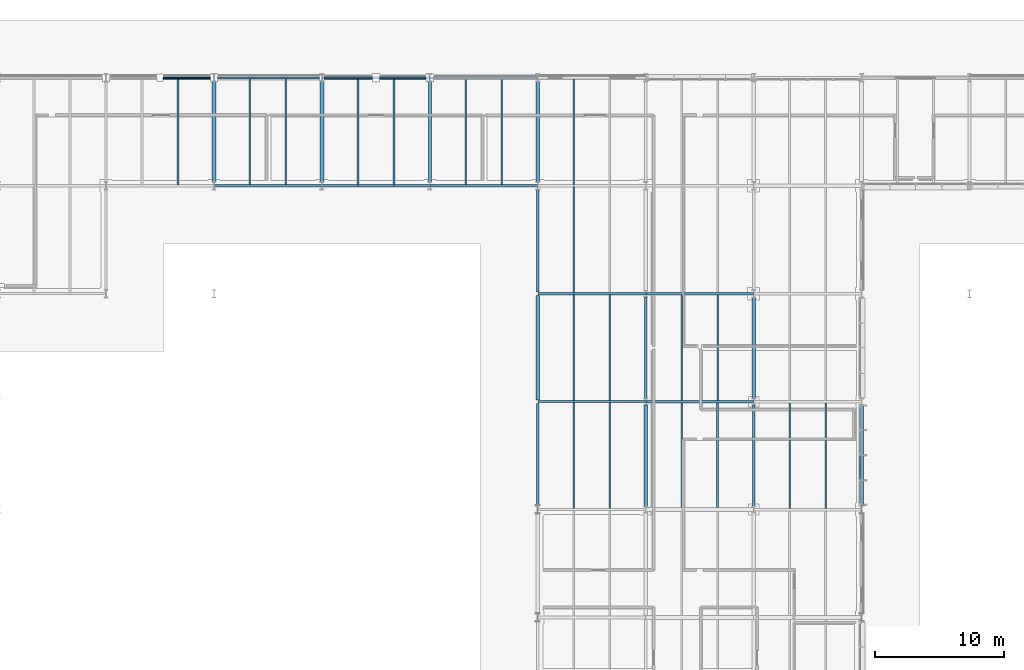
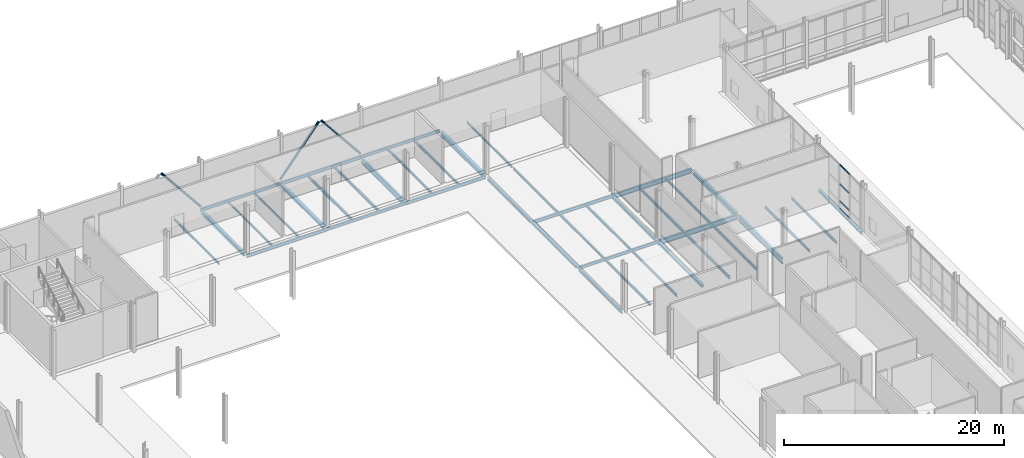
# One storey, part 41 of 124: 41 beams, 7 members, 1 element without a shape of its own.
"""IFC4 building model written with IfcOpenShell, lengths in metres."""

from ifc_helpers import new_model, si_unit, direction, frame, origin, origin_2d, place, context, subcontext, project, spatial, hollow_rectangle, hollow_circle, i_section, extrude, material, material_profile, profile_set, type_object, element, aggregate, save


model = new_model("IFC4")

# Units and contexts
model_context = context("Model", 3, precision=1e-05, world=origin(), true_north=direction((0.0, 1.0)))
body_context = subcontext(model_context, "Body", "Model", "MODEL_VIEW")
ifc_project = project(units=[si_unit("LENGTHUNIT", "METRE"), si_unit("AREAUNIT", "SQUARE_METRE"), si_unit("VOLUMEUNIT", "CUBIC_METRE"), si_unit("PLANEANGLEUNIT", "RADIAN"), si_unit("MASSUNIT", "GRAM", prefix="KILO")], contexts=[model_context])

# Site, building, storey
site_placement = place(None, origin())
site = spatial("IfcSite", under=ifc_project, at=site_placement, CompositionType="ELEMENT")
building_placement = place(site_placement, origin())
building = spatial("IfcBuilding", under=site, at=building_placement, Name="Mersafa Astral City Hall", CompositionType="ELEMENT")
storey_placement = place(building_placement, origin())
storey = spatial("IfcBuildingStorey", under=building, at=storey_placement, Name="L00", CompositionType="ELEMENT", Elevation=0.0)

# Curtain wall, members
ifc_material_1 = material(Name="Anodised bronze aluminium framing", Category="aluminium")
curtain_wall_type = type_object("IfcCurtainWallType", Name="ENV-CW-1", PredefinedType="USERDEFINED", material=ifc_material_1)
curtain_wall_placement = place(storey_placement, origin())
curtain_wall = element("IfcCurtainWall", 1, at=curtain_wall_placement, inside=storey, type_object=curtain_wall_type, Name="L00 Unitised solar curtain wall 12", ObjectType="UNITISED CURTAIN WALL", PredefinedType="USERDEFINED")
ifc_material_profile_1 = material_profile(ifc_material_1, hollow_rectangle(XDim=0.06005859375, YDim=0.159912109375, WallThickness=0.00390625, at=origin_2d()), Name="RHS 60x160x4")
ifc_profile_set_1 = profile_set([ifc_material_profile_1], Name="Anodised bronze aluminium framing")
member_type_1 = type_object("IfcMemberType", Name="ENV-CW-TRN-2", PredefinedType="USERDEFINED", material=ifc_profile_set_1)
member_1_placement = place(storey_placement, frame((117.47998046875, 94.747314453125, 0.028076171875), z_axis=(0.0, 1.0, 0.0), x_axis=(-1.0, 0.0, 0.0)))
member_1 = element("IfcMember", 2, at=member_1_placement, type_object=member_type_1, Name="CW-1 transom 2.1", ObjectType="TRANSOM", PredefinedType="USERDEFINED", context=body_context, shape_type="SweptSolid", body=[
    extrude(hollow_rectangle(XDim=0.06005859375, YDim=0.159912109375, WallThickness=0.00390625, at=origin_2d()), origin(), (0.0, 0.0, 1.0), 1.830078125),
])
member_2_placement = place(storey_placement, frame((117.47998046875, 94.747314453125, 0.85009765625), z_axis=(0.0, 1.0, 0.0), x_axis=(-1.0, 0.0, 0.0)))
member_2 = element("IfcMember", 3, at=member_2_placement, type_object=member_type_1, Name="CW-1 transom 2.2", ObjectType="TRANSOM", PredefinedType="USERDEFINED", context=body_context, shape_type="SweptSolid", body=[
    extrude(hollow_rectangle(XDim=0.06005859375, YDim=0.159912109375, WallThickness=0.00390625, at=origin_2d()), origin(), (0.0, 0.0, 1.0), 1.830078125),
])
member_3_placement = place(storey_placement, frame((117.47998046875, 94.747314453125, 2.75), z_axis=(0.0, 1.0, 0.0), x_axis=(-1.0, 0.0, 0.0)))
member_3 = element("IfcMember", 4, at=member_3_placement, type_object=member_type_1, Name="CW-1 transom 2.3", ObjectType="TRANSOM", PredefinedType="USERDEFINED", context=body_context, shape_type="SweptSolid", body=[
    extrude(hollow_rectangle(XDim=0.06005859375, YDim=0.159912109375, WallThickness=0.00390625, at=origin_2d()), origin(), (0.0, 0.0, 1.0), 1.830078125),
])
member_4_placement = place(storey_placement, frame((117.47998046875, 94.747314453125, 4.8720703125), z_axis=(0.0, 1.0, 0.0), x_axis=(-1.0, 0.0, 0.0)))
member_4 = element("IfcMember", 5, at=member_4_placement, type_object=member_type_1, Name="CW-1 transom 2.4", ObjectType="TRANSOM", PredefinedType="USERDEFINED", context=body_context, shape_type="SweptSolid", body=[
    extrude(hollow_rectangle(XDim=0.06005859375, YDim=0.159912109375, WallThickness=0.00390625, at=origin_2d()), origin(), (0.0, 0.0, 1.0), 1.830078125),
])
aggregate(curtain_wall, [member_1, member_2, member_3, member_4])

# Beams
ifc_material_2 = material(Name="Steel S355", Category="steel")
ifc_material_profile_2 = material_profile(ifc_material_2, i_section(OverallWidth=0.300048828125, OverallDepth=0.31005859375, WebThickness=0.009033203125, FlangeThickness=0.015380859375, FilletRadius=0.027099609375, at=origin_2d()), Name="HEA 320")
ifc_profile_set_2 = profile_set([ifc_material_profile_2], Name="Steel S355")
beam_type_1 = type_object("IfcBeamType", Name="STR-BM-HEA320", PredefinedType="BEAM", material=ifc_profile_set_2)
beam_1_placement = place(storey_placement, frame((75.60009765625, 117.89501953125, -0.405029296875), z_axis=(0.0, 1.0, 0.0), x_axis=(-1.0, 0.0, 0.0)))
element("IfcBeam", 6, at=beam_1_placement, inside=storey, type_object=beam_type_1, Name="L00 Primary girder Y 9-14", PredefinedType="BEAM", context=body_context, shape_type="SweptSolid", body=[
    extrude(i_section(OverallWidth=0.300048828125, OverallDepth=0.31005859375, WebThickness=0.009033203125, FlangeThickness=0.015380859375, FilletRadius=0.027099609375, at=origin_2d()), origin(), (0.0, 0.0, 1.0), 7.81005859375),
])
ifc_material_profile_3 = material_profile(ifc_material_2, i_section(OverallWidth=0.300048828125, OverallDepth=0.35009765625, WebThickness=0.010009765625, FlangeThickness=0.017578125, FilletRadius=0.027099609375, at=origin_2d()), Name="HEA 360")
ifc_profile_set_3 = profile_set([ifc_material_profile_3], Name="Steel S355")
beam_type_2 = type_object("IfcBeamType", Name="STR-BM-HEA360", PredefinedType="BEAM", material=ifc_profile_set_3)
beam_2_placement = place(storey_placement, frame((67.199951171875, 117.89501953125, -0.425048828125), z_axis=(0.0, 1.0, 0.0), x_axis=(-1.0, 0.0, 0.0)))
element("IfcBeam", 7, at=beam_2_placement, inside=storey, type_object=beam_type_2, Name="L00 Primary girder Y 8-14", PredefinedType="BEAM", context=body_context, shape_type="SweptSolid", body=[
    extrude(i_section(OverallWidth=0.300048828125, OverallDepth=0.35009765625, WebThickness=0.010009765625, FlangeThickness=0.017578125, FilletRadius=0.027099609375, at=origin_2d()), origin(), (0.0, 0.0, 1.0), 7.81005859375),
])
ifc_material_profile_4 = material_profile(ifc_material_2, i_section(OverallWidth=0.300048828125, OverallDepth=0.489990234375, WebThickness=0.011962890625, FlangeThickness=0.02294921875, FilletRadius=0.027099609375, at=origin_2d()), Name="HEA 500")
ifc_profile_set_4 = profile_set([ifc_material_profile_4], Name="Steel S355")
beam_type_3 = type_object("IfcBeamType", Name="STR-BM-HEA500", PredefinedType="BEAM", material=ifc_profile_set_4)
beam_3_placement = place(storey_placement, frame((92.39990234375, 117.89501953125, -0.4951171875), z_axis=(0.0, 1.0, 0.0), x_axis=(-1.0, 0.0, 0.0)))
element("IfcBeam", 8, at=beam_3_placement, inside=storey, type_object=beam_type_3, Name="L00 Primary girder Y 11-14", PredefinedType="BEAM", context=body_context, shape_type="SweptSolid", body=[
    extrude(i_section(OverallWidth=0.300048828125, OverallDepth=0.489990234375, WebThickness=0.011962890625, FlangeThickness=0.02294921875, FilletRadius=0.027099609375, at=origin_2d()), origin(), (0.0, 0.0, 1.0), 7.81005859375),
])
beam_4_placement = place(storey_placement, frame((109.199951171875, 101.044921875, -0.4951171875), z_axis=(0.0, 1.0, 0.0), x_axis=(-1.0, 0.0, 0.0)))
element("IfcBeam", 9, at=beam_4_placement, inside=storey, type_object=beam_type_3, Name="L00 Primary girder Y 13-12", PredefinedType="BEAM", context=body_context, shape_type="SweptSolid", body=[
    extrude(i_section(OverallWidth=0.300048828125, OverallDepth=0.489990234375, WebThickness=0.011962890625, FlangeThickness=0.02294921875, FilletRadius=0.027099609375, at=origin_2d()), origin(), (0.0, 0.0, 1.0), 7.860107421875),
])
ifc_material_profile_5 = material_profile(ifc_material_2, i_section(OverallWidth=0.199951171875, OverallDepth=0.5, WebThickness=0.01025390625, FlangeThickness=0.01611328125, FilletRadius=0.02099609375, at=origin_2d()), Name="IPE 500")
ifc_profile_set_5 = profile_set([ifc_material_profile_5], Name="Steel S355")
beam_type_4 = type_object("IfcBeamType", Name="STR-BM-IPE500", PredefinedType="BEAM", material=ifc_profile_set_5)
beam_5_placement = place(storey_placement, frame((100.802978515625, 109.199951171875, -0.5), z_axis=(1.0, 0.0, 0.0), x_axis=(0.0, 1.0, 0.0)))
element("IfcBeam", 10, at=beam_5_placement, inside=storey, type_object=beam_type_4, Name="L00 Primary girder X 12-13", PredefinedType="BEAM", context=body_context, shape_type="SweptSolid", body=[
    extrude(i_section(OverallWidth=0.199951171875, OverallDepth=0.5, WebThickness=0.01025390625, FlangeThickness=0.01611328125, FilletRadius=0.02099609375, at=origin_2d()), origin(), (0.0, 0.0, 1.0), 8.39404296875),
])
ifc_material_profile_6 = material_profile(ifc_material_2, i_section(OverallWidth=0.2099609375, OverallDepth=0.550048828125, WebThickness=0.010986328125, FlangeThickness=0.01708984375, FilletRadius=0.02392578125, at=origin_2d()), Name="IPE 550")
ifc_profile_set_6 = profile_set([ifc_material_profile_6], Name="Steel S355")
beam_type_5 = type_object("IfcBeamType", Name="STR-BM-IPE550", PredefinedType="BEAM", material=ifc_profile_set_6)
beam_6_placement = place(storey_placement, frame((100.802978515625, 100.800048828125, -0.52490234375), z_axis=(1.0, 0.0, 0.0), x_axis=(0.0, 1.0, 0.0)))
element("IfcBeam", 11, at=beam_6_placement, inside=storey, type_object=beam_type_5, Name="L00 Primary girder X 12-12", PredefinedType="BEAM", context=body_context, shape_type="SweptSolid", body=[
    extrude(i_section(OverallWidth=0.2099609375, OverallDepth=0.550048828125, WebThickness=0.010986328125, FlangeThickness=0.01708984375, FilletRadius=0.02392578125, at=origin_2d()), origin(), (0.0, 0.0, 1.0), 8.39404296875),
])
ifc_material_profile_7 = material_profile(ifc_material_2, i_section(OverallWidth=0.219970703125, OverallDepth=0.60009765625, WebThickness=0.011962890625, FlangeThickness=0.01904296875, FilletRadius=0.02392578125, at=origin_2d()), Name="IPE 600")
ifc_profile_set_7 = profile_set([ifc_material_profile_7], Name="Steel S355")
beam_type_6 = type_object("IfcBeamType", Name="STR-BM-IPE600", PredefinedType="BEAM", material=ifc_profile_set_7)
beam_7_placement = place(storey_placement, frame((84.0, 117.89501953125, -0.550048828125), z_axis=(0.0, 1.0, 0.0), x_axis=(-1.0, 0.0, 0.0)))
element("IfcBeam", 12, at=beam_7_placement, inside=storey, type_object=beam_type_6, Name="L00 Primary girder Y 10-14", PredefinedType="BEAM", context=body_context, shape_type="SweptSolid", body=[
    extrude(i_section(OverallWidth=0.219970703125, OverallDepth=0.60009765625, WebThickness=0.011962890625, FlangeThickness=0.01904296875, FilletRadius=0.02392578125, at=origin_2d()), origin(), (0.0, 0.0, 1.0), 7.81005859375),
])
beam_8_placement = place(storey_placement, frame((109.199951171875, 92.64501953125, -0.550048828125), z_axis=(0.0, 1.0, 0.0), x_axis=(-1.0, 0.0, 0.0)))
element("IfcBeam", 13, at=beam_8_placement, inside=storey, type_object=beam_type_6, Name="L00 Primary girder Y 13-11", PredefinedType="BEAM", context=body_context, shape_type="SweptSolid", body=[
    extrude(i_section(OverallWidth=0.219970703125, OverallDepth=0.60009765625, WebThickness=0.011962890625, FlangeThickness=0.01904296875, FilletRadius=0.02392578125, at=origin_2d()), origin(), (0.0, 0.0, 1.0), 7.909912109375),
])
ifc_material_profile_8 = material_profile(ifc_material_2, i_section(OverallWidth=0.110107421875, OverallDepth=0.219970703125, WebThickness=0.005859375, FlangeThickness=0.00927734375, FilletRadius=0.011962890625, at=origin_2d()), Name="IPE 220")
ifc_profile_set_8 = profile_set([ifc_material_profile_8], Name="Steel S355")
beam_type_7 = type_object("IfcBeamType", Name="STR-BM-JOIST-IPE220", PredefinedType="JOIST", material=ifc_profile_set_8)
for number, where, z_axis, x_axis, name in (
    (14, (70.0, 117.679931640625, -0.360107421875), (0.0, 1.0, 0.0), (-1.0, 0.0, 0.0), "L00 Composite secondary floor joist 44"),
    (15, (72.800048828125, 117.679931640625, -0.360107421875), (0.0, 1.0, 0.0), (-1.0, 0.0, 0.0), "L00 Composite secondary floor joist 45"),
):
    element("IfcBeam", number, at=place(storey_placement, frame(where, z_axis=z_axis, x_axis=x_axis)), inside=storey, type_object=beam_type_7, Name=name, PredefinedType="JOIST", context=body_context, shape_type="SweptSolid", body=[
        extrude(i_section(OverallWidth=0.110107421875, OverallDepth=0.219970703125, WebThickness=0.005859375, FlangeThickness=0.00927734375, FilletRadius=0.011962890625, at=origin_2d()), origin(), (0.0, 0.0, 1.0), 8.2451171875),
    ])
ifc_material_profile_9 = material_profile(ifc_material_2, i_section(OverallWidth=0.1201171875, OverallDepth=0.239990234375, WebThickness=0.006103515625, FlangeThickness=0.009765625, FilletRadius=0.014892578125, at=origin_2d()), Name="IPE 240")
ifc_profile_set_9 = profile_set([ifc_material_profile_9], Name="Steel S355")
beam_type_8 = type_object("IfcBeamType", Name="STR-BM-JOIST-IPE240", PredefinedType="JOIST", material=ifc_profile_set_9)
for number, where, z_axis, x_axis, name in (
    (16, (64.39990234375, 117.675048828125, -0.3701171875), (0.0, 1.0, 0.0), (-1.0, 0.0, 0.0), "L00 Composite secondary floor joist 41"),
    (17, (95.199951171875, 117.675048828125, -0.3701171875), (0.0, 1.0, 0.0), (-1.0, 0.0, 0.0), "L00 Composite secondary floor joist 76"),
):
    element("IfcBeam", number, at=place(storey_placement, frame(where, z_axis=z_axis, x_axis=x_axis)), inside=storey, type_object=beam_type_8, Name=name, PredefinedType="JOIST", context=body_context, shape_type="SweptSolid", body=[
        extrude(i_section(OverallWidth=0.1201171875, OverallDepth=0.239990234375, WebThickness=0.006103515625, FlangeThickness=0.009765625, FilletRadius=0.014892578125, at=origin_2d()), origin(), (0.0, 0.0, 1.0), 8.244873046875),
    ])
ifc_material_profile_10 = material_profile(ifc_material_2, i_section(OverallWidth=0.135009765625, OverallDepth=0.27001953125, WebThickness=0.006591796875, FlangeThickness=0.01025390625, FilletRadius=0.014892578125, at=origin_2d()), Name="IPE 270")
ifc_profile_set_10 = profile_set([ifc_material_profile_10], Name="Steel S355")
beam_type_9 = type_object("IfcBeamType", Name="STR-BM-JOIST-IPE270", PredefinedType="JOIST", material=ifc_profile_set_10)
for number, where, z_axis, x_axis, name in (
    (18, (86.800048828125, 117.679931640625, -0.385009765625), (0.0, 1.0, 0.0), (-1.0, 0.0, 0.0), "L00 Composite secondary floor joist 56"),
    (19, (89.60009765625, 117.679931640625, -0.385009765625), (0.0, 1.0, 0.0), (-1.0, 0.0, 0.0), "L00 Composite secondary floor joist 57"),
):
    element("IfcBeam", number, at=place(storey_placement, frame(where, z_axis=z_axis, x_axis=x_axis)), inside=storey, type_object=beam_type_9, Name=name, PredefinedType="JOIST", context=body_context, shape_type="SweptSolid", body=[
        extrude(i_section(OverallWidth=0.135009765625, OverallDepth=0.27001953125, WebThickness=0.006591796875, FlangeThickness=0.01025390625, FilletRadius=0.014892578125, at=origin_2d()), origin(), (0.0, 0.0, 1.0), 8.2451171875),
    ])
for number, where, z_axis, x_axis, name in (
    (20, (103.60009765625, 100.89990234375, -0.385009765625), (0.0, 1.0, 0.0), (-1.0, 0.0, 0.0), "L00 Composite secondary floor joist 102"),
    (21, (106.39990234375, 100.89990234375, -0.385009765625), (0.0, 1.0, 0.0), (-1.0, 0.0, 0.0), "L00 Composite secondary floor joist 103"),
    (22, (112.0, 92.5, -0.385009765625), (0.0, 1.0, 0.0), (-1.0, 0.0, 0.0), "L00 Composite secondary floor joist 130"),
    (23, (114.800048828125, 92.5, -0.385009765625), (0.0, 1.0, 0.0), (-1.0, 0.0, 0.0), "L00 Composite secondary floor joist 131"),
):
    element("IfcBeam", number, at=place(storey_placement, frame(where, z_axis=z_axis, x_axis=x_axis)), inside=storey, type_object=beam_type_9, Name=name, PredefinedType="JOIST", context=body_context, shape_type="SweptSolid", body=[
        extrude(i_section(OverallWidth=0.135009765625, OverallDepth=0.27001953125, WebThickness=0.006591796875, FlangeThickness=0.01025390625, FilletRadius=0.014892578125, at=origin_2d()), origin(), (0.0, 0.0, 1.0), 8.205078125),
    ])
for number, where, z_axis, x_axis, name in (
    (24, (95.199951171875, 92.47998046875, -0.385009765625), (0.0, 1.0, 0.0), (-1.0, 0.0, 0.0), "L00 Flat roof secondary joist 13"),
    (25, (98.0, 92.47998046875, -0.385009765625), (0.0, 1.0, 0.0), (-1.0, 0.0, 0.0), "L00 Flat roof secondary joist 14"),
    (26, (95.199951171875, 100.875, -0.385009765625), (0.0, 1.0, 0.0), (-1.0, 0.0, 0.0), "L00 Flat roof secondary joist 15"),
    (27, (98.0, 100.875, -0.385009765625), (0.0, 1.0, 0.0), (-1.0, 0.0, 0.0), "L00 Flat roof secondary joist 16"),
):
    element("IfcBeam", number, at=place(storey_placement, frame(where, z_axis=z_axis, x_axis=x_axis)), inside=storey, type_object=beam_type_9, Name=name, PredefinedType="JOIST", context=body_context, shape_type="SweptSolid", body=[
        extrude(i_section(OverallWidth=0.135009765625, OverallDepth=0.27001953125, WebThickness=0.006591796875, FlangeThickness=0.01025390625, FilletRadius=0.014892578125, at=origin_2d()), origin(), (0.0, 0.0, 1.0), 8.2451171875),
    ])
beam_9_placement = place(storey_placement, frame((95.199951171875, 109.280029296875, -0.385009765625), z_axis=(0.0, 1.0, 0.0), x_axis=(-1.0, 0.0, 0.0)))
element("IfcBeam", 28, at=beam_9_placement, inside=storey, type_object=beam_type_9, Name="L00 Flat roof secondary joist 17", PredefinedType="JOIST", context=body_context, shape_type="SweptSolid", body=[
    extrude(i_section(OverallWidth=0.135009765625, OverallDepth=0.27001953125, WebThickness=0.006591796875, FlangeThickness=0.01025390625, FilletRadius=0.014892578125, at=origin_2d()), origin(), (0.0, 0.0, 1.0), 8.244873046875),
])
ifc_material_profile_11 = material_profile(ifc_material_2, i_section(OverallWidth=0.14990234375, OverallDepth=0.300048828125, WebThickness=0.007080078125, FlangeThickness=0.0107421875, FilletRadius=0.014892578125, at=origin_2d()), Name="IPE 300")
ifc_profile_set_11 = profile_set([ifc_material_profile_11], Name="Steel S355")
beam_type_10 = type_object("IfcBeamType", Name="STR-BM-JOIST-IPE300", PredefinedType="JOIST", material=ifc_profile_set_11)
for number, where, z_axis, x_axis, name in (
    (29, (78.39990234375, 117.675048828125, -0.39990234375), (0.0, 1.0, 0.0), (-1.0, 0.0, 0.0), "L00 Composite secondary floor joist 50"),
    (30, (81.199951171875, 117.675048828125, -0.39990234375), (0.0, 1.0, 0.0), (-1.0, 0.0, 0.0), "L00 Composite secondary floor joist 51"),
):
    element("IfcBeam", number, at=place(storey_placement, frame(where, z_axis=z_axis, x_axis=x_axis)), inside=storey, type_object=beam_type_10, Name=name, PredefinedType="JOIST", context=body_context, shape_type="SweptSolid", body=[
        extrude(i_section(OverallWidth=0.14990234375, OverallDepth=0.300048828125, WebThickness=0.007080078125, FlangeThickness=0.0107421875, FilletRadius=0.014892578125, at=origin_2d()), origin(), (0.0, 0.0, 1.0), 8.244873046875),
    ])
for number, where, z_axis, x_axis, name in (
    (31, (103.60009765625, 92.544921875, -0.39990234375), (0.0, 1.0, 0.0), (-1.0, 0.0, 0.0), "L00 Composite secondary floor joist 100"),
    (32, (106.39990234375, 92.544921875, -0.39990234375), (0.0, 1.0, 0.0), (-1.0, 0.0, 0.0), "L00 Composite secondary floor joist 101"),
):
    element("IfcBeam", number, at=place(storey_placement, frame(where, z_axis=z_axis, x_axis=x_axis)), inside=storey, type_object=beam_type_10, Name=name, PredefinedType="JOIST", context=body_context, shape_type="SweptSolid", body=[
        extrude(i_section(OverallWidth=0.14990234375, OverallDepth=0.300048828125, WebThickness=0.007080078125, FlangeThickness=0.0107421875, FilletRadius=0.014892578125, at=origin_2d()), origin(), (0.0, 0.0, 1.0), 8.155029296875),
    ])
ifc_material_profile_12 = material_profile(ifc_material_2, i_section(OverallWidth=0.280029296875, OverallDepth=0.27001953125, WebThickness=0.008056640625, FlangeThickness=0.012939453125, FilletRadius=0.02392578125, at=origin_2d()), Name="HEA 280")
ifc_profile_set_12 = profile_set([ifc_material_profile_12], Name="Steel S355")
beam_type_11 = type_object("IfcBeamType", Name="STR-BM-SPANDREL-HEA280", PredefinedType="SPANDREL", material=ifc_profile_set_12)
beam_10_placement = place(storey_placement, frame((92.39990234375, 100.945068359375, -0.385009765625), z_axis=(0.0, 1.0, 0.0), x_axis=(-1.0, 0.0, 0.0)))
element("IfcBeam", 33, at=beam_10_placement, inside=storey, type_object=beam_type_11, Name="L00 Primary girder Y 11-12", PredefinedType="SPANDREL", context=body_context, shape_type="SweptSolid", body=[
    extrude(i_section(OverallWidth=0.280029296875, OverallDepth=0.27001953125, WebThickness=0.008056640625, FlangeThickness=0.012939453125, FilletRadius=0.02392578125, at=origin_2d()), origin(), (0.0, 0.0, 1.0), 8.10986328125),
])
beam_11_placement = place(storey_placement, frame((100.800048828125, 92.64501953125, -0.385009765625), z_axis=(0.0, 1.0, 0.0), x_axis=(-1.0, 0.0, 0.0)))
element("IfcBeam", 34, at=beam_11_placement, inside=storey, type_object=beam_type_11, Name="L00 Primary girder Y 12-11", PredefinedType="SPANDREL", context=body_context, shape_type="SweptSolid", body=[
    extrude(i_section(OverallWidth=0.280029296875, OverallDepth=0.27001953125, WebThickness=0.008056640625, FlangeThickness=0.012939453125, FilletRadius=0.02392578125, at=origin_2d()), origin(), (0.0, 0.0, 1.0), 7.909912109375),
])
beam_12_placement = place(storey_placement, frame((117.60009765625, 92.719970703125, -0.385009765625), z_axis=(0.0, 1.0, 0.0), x_axis=(-1.0, 0.0, 0.0)))
element("IfcBeam", 35, at=beam_12_placement, inside=storey, type_object=beam_type_11, Name="L00 Primary girder Y 14-11", PredefinedType="SPANDREL", context=body_context, shape_type="SweptSolid", body=[
    extrude(i_section(OverallWidth=0.280029296875, OverallDepth=0.27001953125, WebThickness=0.008056640625, FlangeThickness=0.012939453125, FilletRadius=0.02392578125, at=origin_2d()), origin(), (0.0, 0.0, 1.0), 7.8349609375),
])
ifc_material_profile_13 = material_profile(ifc_material_2, i_section(OverallWidth=0.159912109375, OverallDepth=0.330078125, WebThickness=0.007568359375, FlangeThickness=0.011474609375, FilletRadius=0.01806640625, at=origin_2d()), Name="IPE 330")
ifc_profile_set_13 = profile_set([ifc_material_profile_13], Name="Steel S355")
beam_type_12 = type_object("IfcBeamType", Name="STR-BM-SPANDREL-IPE330", PredefinedType="SPANDREL", material=ifc_profile_set_13)
for number, where, z_axis, x_axis, name in (
    (36, (92.403076171875, 100.800048828125, -0.4150390625), (1.0, 0.0, 0.0), (0.0, 1.0, 0.0), "L00 Primary girder X 11-12"),
    (37, (75.60302734375, 117.60009765625, -0.4150390625), (1.0, 0.0, 0.0), (0.0, 1.0, 0.0), "L00 Primary girder X 9-14"),
    (38, (67.202880859375, 126.0, -0.4150390625), (1.0, 0.0, 0.0), (0.0, 1.0, 0.0), "L00 Primary girder X 8-15"),
    (39, (84.0029296875, 126.0, -0.4150390625), (1.0, 0.0, 0.0), (0.0, 1.0, 0.0), "L00 Primary girder X 10-15"),
):
    element("IfcBeam", number, at=place(storey_placement, frame(where, z_axis=z_axis, x_axis=x_axis)), inside=storey, type_object=beam_type_12, Name=name, PredefinedType="SPANDREL", context=body_context, shape_type="SweptSolid", body=[
        extrude(i_section(OverallWidth=0.159912109375, OverallDepth=0.330078125, WebThickness=0.007568359375, FlangeThickness=0.011474609375, FilletRadius=0.01806640625, at=origin_2d()), origin(), (0.0, 0.0, 1.0), 8.39404296875),
    ])
ifc_material_profile_14 = material_profile(ifc_material_2, i_section(OverallWidth=0.169921875, OverallDepth=0.360107421875, WebThickness=0.008056640625, FlangeThickness=0.0126953125, FilletRadius=0.01806640625, at=origin_2d()), Name="IPE 360")
ifc_profile_set_14 = profile_set([ifc_material_profile_14], Name="Steel S355")
beam_type_13 = type_object("IfcBeamType", Name="STR-BM-SPANDREL-IPE360", PredefinedType="SPANDREL", material=ifc_profile_set_14)
for number, where, z_axis, x_axis, name in (
    (40, (92.403076171875, 109.199951171875, -0.429931640625), (1.0, 0.0, 0.0), (0.0, 1.0, 0.0), "L00 Primary girder X 11-13"),
    (41, (67.202880859375, 117.60009765625, -0.429931640625), (1.0, 0.0, 0.0), (0.0, 1.0, 0.0), "L00 Primary girder X 8-14"),
    (42, (84.0029296875, 117.60009765625, -0.429931640625), (1.0, 0.0, 0.0), (0.0, 1.0, 0.0), "L00 Primary girder X 10-14"),
    (43, (75.60302734375, 126.0, -0.429931640625), (1.0, 0.0, 0.0), (0.0, 1.0, 0.0), "L00 Primary girder X 9-15"),
):
    element("IfcBeam", number, at=place(storey_placement, frame(where, z_axis=z_axis, x_axis=x_axis)), inside=storey, type_object=beam_type_13, Name=name, PredefinedType="SPANDREL", context=body_context, shape_type="SweptSolid", body=[
        extrude(i_section(OverallWidth=0.169921875, OverallDepth=0.360107421875, WebThickness=0.008056640625, FlangeThickness=0.0126953125, FilletRadius=0.01806640625, at=origin_2d()), origin(), (0.0, 0.0, 1.0), 8.39404296875),
    ])
beam_13_placement = place(storey_placement, frame((92.39990234375, 92.719970703125, -0.429931640625), z_axis=(0.0, 1.0, 0.0), x_axis=(-1.0, 0.0, 0.0)))
element("IfcBeam", 44, at=beam_13_placement, inside=storey, type_object=beam_type_13, Name="L00 Primary girder Y 11-11", PredefinedType="SPANDREL", context=body_context, shape_type="SweptSolid", body=[
    extrude(i_section(OverallWidth=0.169921875, OverallDepth=0.360107421875, WebThickness=0.008056640625, FlangeThickness=0.0126953125, FilletRadius=0.01806640625, at=origin_2d()), origin(), (0.0, 0.0, 1.0), 7.93505859375),
])
beam_14_placement = place(storey_placement, frame((92.39990234375, 109.344970703125, -0.429931640625), z_axis=(0.0, 1.0, 0.0), x_axis=(-1.0, 0.0, 0.0)))
element("IfcBeam", 45, at=beam_14_placement, inside=storey, type_object=beam_type_13, Name="L00 Primary girder Y 11-13", PredefinedType="SPANDREL", context=body_context, shape_type="SweptSolid", body=[
    extrude(i_section(OverallWidth=0.169921875, OverallDepth=0.360107421875, WebThickness=0.008056640625, FlangeThickness=0.0126953125, FilletRadius=0.01806640625, at=origin_2d()), origin(), (0.0, 0.0, 1.0), 7.9599609375),
])
beam_15_placement = place(storey_placement, frame((100.800048828125, 101.044921875, -0.429931640625), z_axis=(0.0, 1.0, 0.0), x_axis=(-1.0, 0.0, 0.0)))
element("IfcBeam", 46, at=beam_15_placement, inside=storey, type_object=beam_type_13, Name="L00 Primary girder Y 12-12", PredefinedType="SPANDREL", context=body_context, shape_type="SweptSolid", body=[
    extrude(i_section(OverallWidth=0.169921875, OverallDepth=0.360107421875, WebThickness=0.008056640625, FlangeThickness=0.0126953125, FilletRadius=0.01806640625, at=origin_2d()), origin(), (0.0, 0.0, 1.0), 7.91015625),
])

# Members
ifc_material_profile_15 = material_profile(ifc_material_2, hollow_circle(Radius=0.122314453125, WallThickness=0.012451171875, at=origin_2d()), Name="CHS 244.5x12.5")
ifc_profile_set_15 = profile_set([ifc_material_profile_15], Name="Steel S355")
member_type_2 = type_object("IfcMemberType", Name="STR-MBR-BRACE-CHS245", PredefinedType="BRACE", material=ifc_profile_set_15)
for number, where, z_axis, x_axis, name in (
    (47, (67.201904296875, 126.0, 0.02001953125), (-0.626392333836, 0.0, 0.779507949999), (0.0, -1.0, 0.0), "L00 Chevron lateral brace 2B"),
    (48, (75.597900390625, 126.0, 0.02001953125), (0.626392333836, 0.0, 0.779507949999), (0.0, 1.0, 0.0), "L00 Chevron lateral brace 8A"),
    (49, (84.001953125, 126.0, 0.02001953125), (-0.626392333836, 0.0, 0.779507949999), (0.0, -1.0, 0.0), "L00 Chevron lateral brace 8B"),
):
    element("IfcMember", number, at=place(storey_placement, frame(where, z_axis=z_axis, x_axis=x_axis)), inside=storey, type_object=member_type_2, Name=name, PredefinedType="BRACE", context=body_context, shape_type="SweptSolid", body=[
        extrude(hollow_circle(Radius=0.122314453125, WallThickness=0.012451171875, at=origin_2d()), origin(), (0.0, 0.0, 1.0), 6.48486328125),
    ])

save(model, "model.ifc")
